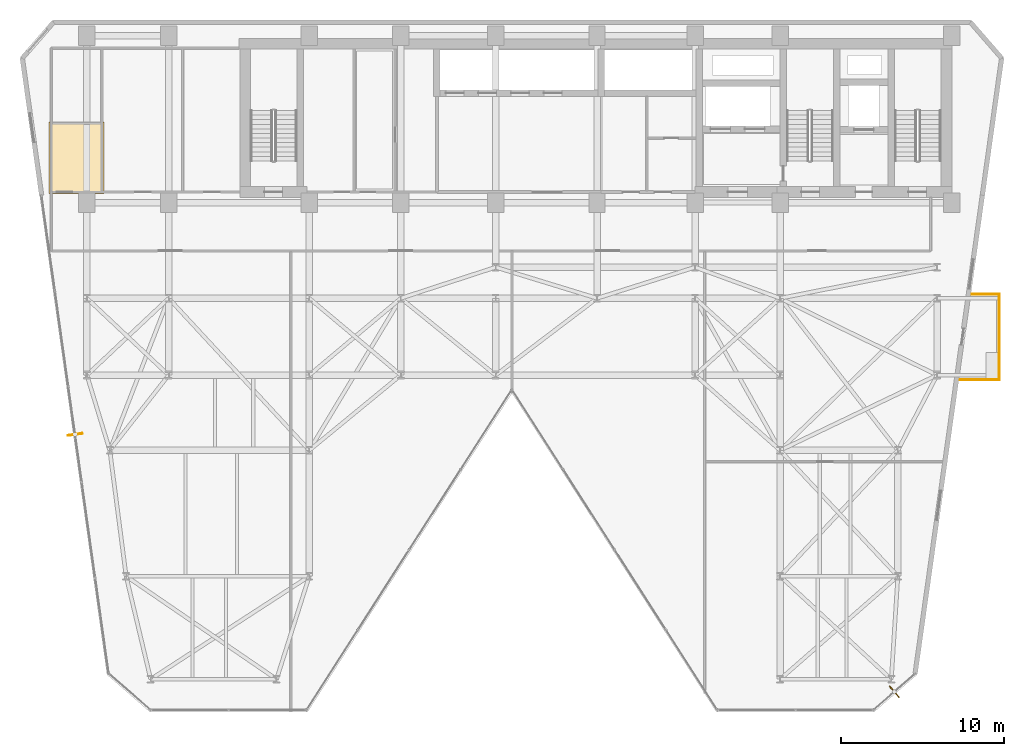
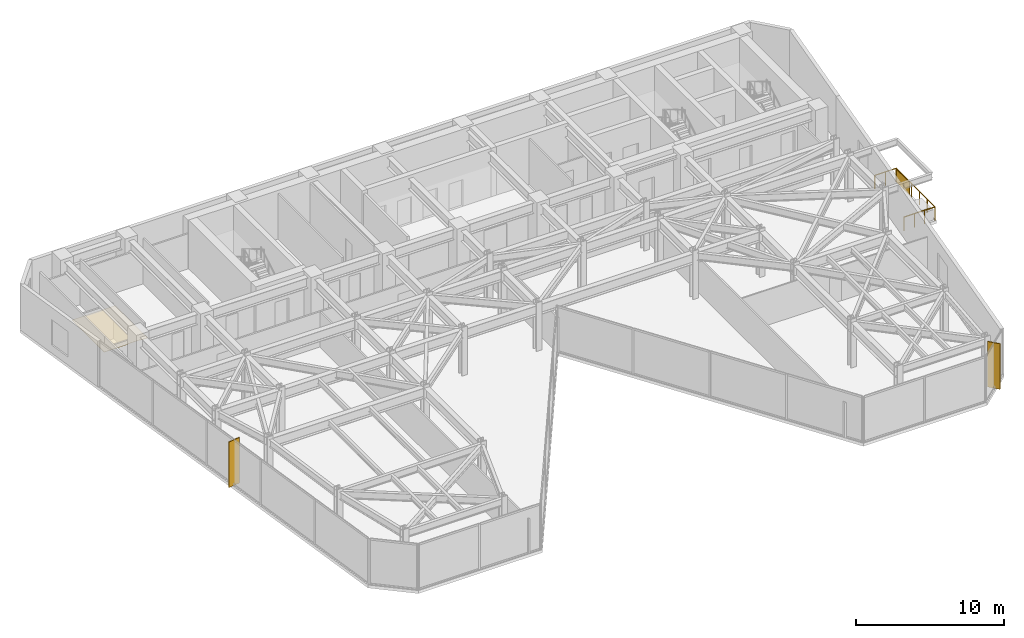
# One storey, part 24 of 26: 3 railings, 3 shading devices, 1 covering.
"""IFC4 building model written with IfcOpenShell, lengths in metres."""

from ifc_helpers import new_model, si_unit, direction, frame, origin, origin_2d, place, context, subcontext, project, spatial, polyline, rectangle, circle, outline, extrude, material, layer, layer_set, type_object, element, save


model = new_model("IFC4")

# Units and contexts
model_context = context("Model", 3, precision=1e-05, world=origin(), true_north=direction((0.0, 1.0)))
body_context = subcontext(model_context, "Body", "Model", "MODEL_VIEW")
ifc_project = project(units=[si_unit("LENGTHUNIT", "METRE"), si_unit("AREAUNIT", "SQUARE_METRE"), si_unit("VOLUMEUNIT", "CUBIC_METRE"), si_unit("PLANEANGLEUNIT", "RADIAN"), si_unit("MASSUNIT", "GRAM", prefix="KILO")], contexts=[model_context])

# Site, building, storey
site_placement = place(None, origin())
site = spatial("IfcSite", under=ifc_project, at=site_placement, CompositionType="ELEMENT")
building_placement = place(site_placement, origin())
building = spatial("IfcBuilding", under=site, at=building_placement, Name="Kravanh Interchange Tower", CompositionType="ELEMENT")
storey_placement = place(building_placement, frame((0.0, 0.0, 124.0)))
storey = spatial("IfcBuildingStorey", under=building, at=storey_placement, Name="L29", CompositionType="ELEMENT", Elevation=124.0)

# Covering
ifc_material_1 = material(Name="Acoustic Mineral Fibre Tile on Aluminium Grid", Category="aluminium")
ifc_layer_1 = layer(ifc_material_1, 0.02490234375)
ifc_layer_set_1 = layer_set([ifc_layer_1], Name="Perforated Acoustic Mineral Ceiling 25mm")
covering_type = type_object("IfcCoveringType", Name="Perforated Acoustic Mineral Ceiling 25mm", PredefinedType="CEILING", material=ifc_layer_set_1)
covering_placement = place(storey_placement, frame((0.0, 0.0, 2.550048828125)))
element("IfcCovering", 1, at=covering_placement, inside=storey, type_object=covering_type, Name="L29 Accessible WC Suspended Ceiling", PredefinedType="CEILING", context=body_context, shape_type="SweptSolid", body=[
    extrude(outline(polyline([(14.659912109375, 42.280029296875), (14.659912109375, 37.909912109375), (14.10009765625, 37.909912109375), (14.10009765625, 37.949951171875), (13.10009765625, 37.949951171875), (13.10009765625, 37.909912109375), (11.280029296875, 37.909912109375), (11.280029296875, 42.280029296875), (14.659912109375, 42.280029296875)])), origin(), (0.0, 0.0, 1.0), 0.02490234375),
])

# Shading device
ifc_material_2 = material(Name="Perforated Anodised Bronze Aluminium", Category="aluminium")
ifc_layer_2 = layer(ifc_material_2, 0.0400390625)
ifc_layer_set_2 = layer_set([ifc_layer_2], Name="Perforated Bronze Balcony Privacy Screen 1150mm")
shading_device_type_1 = type_object("IfcShadingDeviceType", Name="Perforated Bronze Balcony Privacy Screen 1150mm", PredefinedType="USERDEFINED", material=ifc_layer_set_2)
shading_device_placement = place(storey_placement, frame((69.409912109375, 30.780029296875, 0.0), z_axis=(0.0, 0.0, 1.0), x_axis=(1.0, 0.0, 0.0)))
element("IfcShadingDevice", 2, at=shading_device_placement, inside=storey, type_object=shading_device_type_1, Name="L29 E Perforated Bronze BALCONY SCREEN", ObjectType="SCREEN", PredefinedType="USERDEFINED", context=body_context, shape_type="SweptSolid", body=[
    extrude(rectangle(XDim=0.0400390625, YDim=1.800048828125, at=origin_2d()), origin(), (0.0, 0.0, 1.0), 1.14990234375),
])

# Railings
ifc_material_3 = material(Name="Stainless Steel 316", Category="steel")
ifc_layer_3 = layer(ifc_material_3, 0.06005859375)
ifc_layer_set_3 = layer_set([ifc_layer_3], Name="Perimeter Balcony and Terrace Guardrail Stainless 316 1120mm")
railing_type = type_object("IfcRailingType", Name="Perimeter Balcony and Terrace Guardrail Stainless 316 1120mm", PredefinedType="GUARDRAIL", material=ifc_layer_set_3)
railing_1_placement = place(storey_placement, frame((69.409912109375, 31.75, 0.0)))
element("IfcRailing", 3, at=railing_1_placement, inside=storey, type_object=railing_type, Name="L29 E Balcony Guardrail 1", PredefinedType="GUARDRAIL", context=body_context, shape_type="SweptSolid", body=[
    extrude(circle(Radius=0.02392578125, at=origin_2d()), frame((0.0, 0.0, 1.09619140625), z_axis=(0.0, -1.0, 0.0), x_axis=(1.0, 0.0, 0.0)), (0.0, 0.0, 1.0), 5.239990234375),
    extrude(circle(Radius=0.02099609375, at=origin_2d()), origin(), (0.0, 0.0, 1.0), 1.072021484375),
    extrude(circle(Radius=0.02099609375, at=origin_2d()), frame((0.0, -1.048095703125, 0.0)), (0.0, 0.0, 1.0), 1.072021484375),
    extrude(circle(Radius=0.02099609375, at=origin_2d()), frame((0.0, -2.095947265625, 0.0)), (0.0, 0.0, 1.0), 1.072021484375),
    extrude(circle(Radius=0.02099609375, at=origin_2d()), frame((0.0, -3.14404296875, 0.0)), (0.0, 0.0, 1.0), 1.072021484375),
    extrude(circle(Radius=0.02099609375, at=origin_2d()), frame((0.0, -4.19189453125, 0.0)), (0.0, 0.0, 1.0), 1.072021484375),
    extrude(circle(Radius=0.02099609375, at=origin_2d()), frame((0.0, -5.239990234375, 0.0)), (0.0, 0.0, 1.0), 1.072021484375),
])
railing_2_placement = place(storey_placement, frame((69.409912109375, 26.510009765625, 0.0)))
element("IfcRailing", 4, at=railing_2_placement, inside=storey, type_object=railing_type, Name="L29 E Balcony Guardrail 2", PredefinedType="GUARDRAIL", context=body_context, shape_type="SweptSolid", body=[
    extrude(circle(Radius=0.02392578125, at=origin_2d()), frame((0.0, 0.0, 1.09619140625), z_axis=(-1.0, 0.0, 0.0), x_axis=(0.0, -1.0, 0.0)), (0.0, 0.0, 1.0), 2.404541015625),
    extrude(circle(Radius=0.02099609375, at=origin_2d()), origin(), (0.0, 0.0, 1.0), 1.072021484375),
    extrude(circle(Radius=0.02099609375, at=origin_2d()), frame((-0.801513671875, 0.0, 0.0)), (0.0, 0.0, 1.0), 1.072021484375),
    extrude(circle(Radius=0.02099609375, at=origin_2d()), frame((-1.60302734375, 0.0, 0.0)), (0.0, 0.0, 1.0), 1.072021484375),
    extrude(circle(Radius=0.02099609375, at=origin_2d()), frame((-2.404541015625, 0.0, 0.0)), (0.0, 0.0, 1.0), 1.072021484375),
])
railing_3_placement = place(storey_placement, frame((67.74169921875, 31.75, 0.0)))
element("IfcRailing", 5, at=railing_3_placement, inside=storey, type_object=railing_type, Name="L29 E Balcony Guardrail 3", PredefinedType="GUARDRAIL", context=body_context, shape_type="SweptSolid", body=[
    extrude(circle(Radius=0.02392578125, at=origin_2d()), frame((0.0, 0.0, 1.09619140625), z_axis=(1.0, 0.0, 0.0), x_axis=(0.0, 1.0, 0.0)), (0.0, 0.0, 1.0), 1.668212890625),
    extrude(circle(Radius=0.02099609375, at=origin_2d()), origin(), (0.0, 0.0, 1.0), 1.072021484375),
    extrude(circle(Radius=0.02099609375, at=origin_2d()), frame((0.833984375, 0.0, 0.0)), (0.0, 0.0, 1.0), 1.072021484375),
    extrude(circle(Radius=0.02099609375, at=origin_2d()), frame((1.668212890625, 0.0, 0.0)), (0.0, 0.0, 1.0), 1.072021484375),
])

# Shading devices
ifc_material_4 = material(Name="Anodised Champagne Bronze Aluminium", Category="aluminium")
ifc_layer_4 = layer(ifc_material_4, 0.06005859375)
ifc_layer_set_4 = layer_set([ifc_layer_4], Name="Vertical Bronze Solar Fin 900mm")
shading_device_type_2 = type_object("IfcShadingDeviceType", Name="Vertical Bronze Solar Fin 900mm", PredefinedType="USERDEFINED", material=ifc_layer_set_4)
for number, where, z_axis, x_axis, name in (
    (6, (12.881103515625, 23.16943359375, 0.0), (0.0, 0.0, 1.0), (-0.990268017027, -0.139173468924, 0.0), "L29 BRONZE SOLAR FIN 1"),
    (7, (62.986328125, 7.429443359375, 0.0), (0.0, 0.0, 1.0), (0.656056045951, -0.754712173329, 0.0), "L29 BRONZE SOLAR FIN 2"),
):
    element("IfcShadingDevice", number, at=place(storey_placement, frame(where, z_axis=z_axis, x_axis=x_axis)), inside=storey, type_object=shading_device_type_2, Name=name, ObjectType="FIN", PredefinedType="USERDEFINED", context=body_context, shape_type="SweptSolid", body=[
        extrude(rectangle(XDim=0.89990234375, YDim=0.06005859375, at=origin_2d()), origin(), (0.0, 0.0, 1.0), 3.75),
    ])

save(model, "model.ifc")
